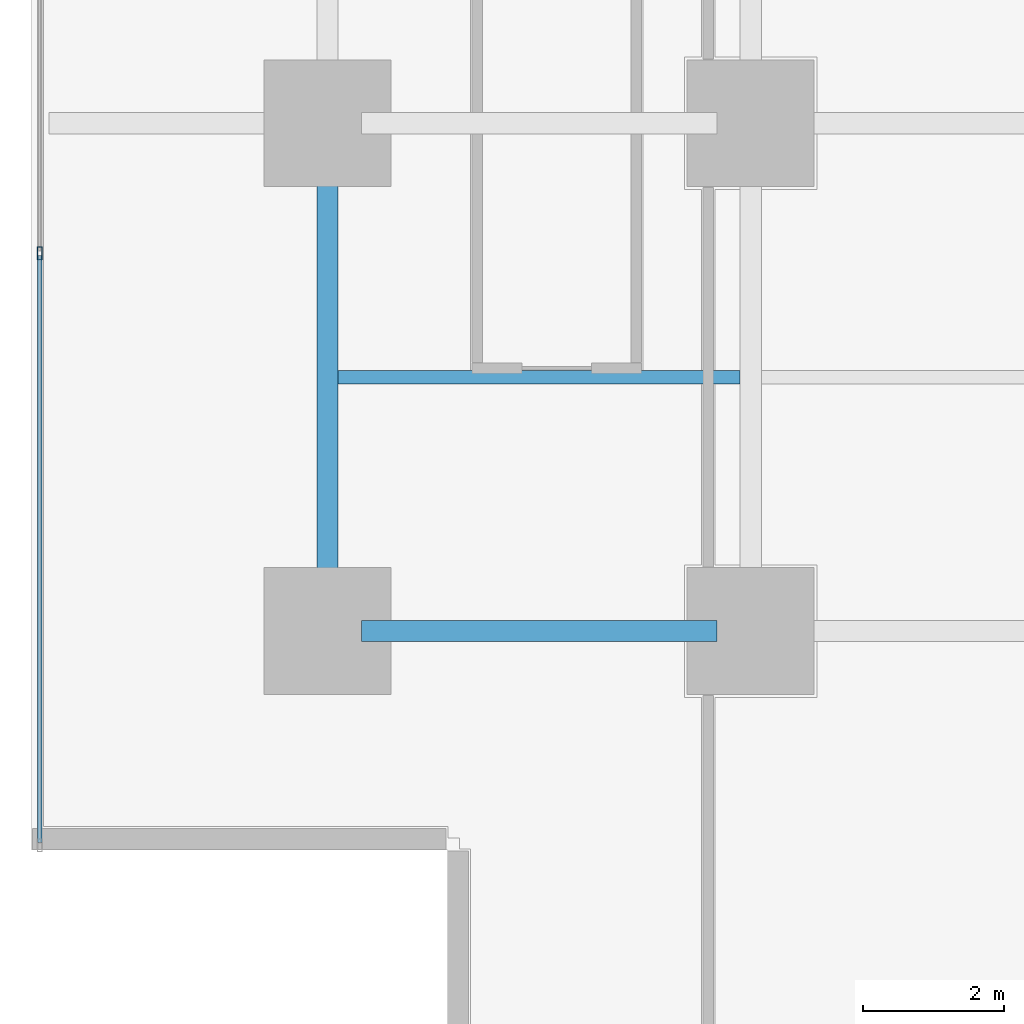
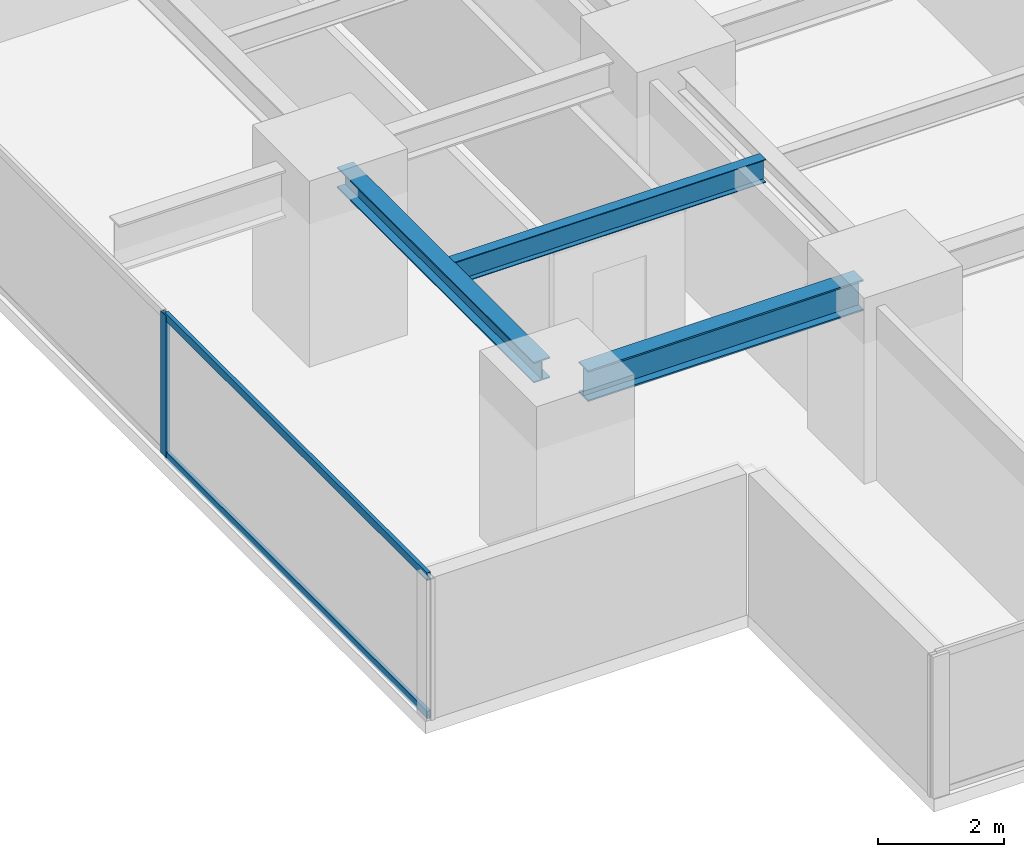
# One storey, part 3 of 32: 3 beams, 3 members, 1 element without a shape of its own.
"""IFC4 building model written with IfcOpenShell, lengths in metres."""

from ifc_helpers import new_model, si_unit, direction, frame, origin, origin_2d, place, context, subcontext, project, spatial, hollow_rectangle, i_section, extrude, source, transform, mapped, material, layer, layer_set, material_profile, profile_set, type_object, element, aggregate, save


model = new_model("IFC4")

# Units and contexts
model_context = context("Model", 3, precision=1e-05, world=origin(), true_north=direction((0.0, 1.0)))
body_context = subcontext(model_context, "Body", "Model", "MODEL_VIEW")
ifc_project = project(units=[si_unit("LENGTHUNIT", "METRE"), si_unit("AREAUNIT", "SQUARE_METRE"), si_unit("VOLUMEUNIT", "CUBIC_METRE"), si_unit("PLANEANGLEUNIT", "RADIAN"), si_unit("MASSUNIT", "GRAM", prefix="KILO")], contexts=[model_context])

# Site, building, storey
site_placement = place(None, origin())
site = spatial("IfcSite", under=ifc_project, at=site_placement, CompositionType="ELEMENT")
building_placement = place(site_placement, origin())
building = spatial("IfcBuilding", under=site, at=building_placement, Name="Sumidabori Civic Tower", CompositionType="ELEMENT")
storey_placement = place(building_placement, frame((0.0, 0.0, 45.199951171875)))
storey = spatial("IfcBuildingStorey", under=building, at=storey_placement, Name="L11", CompositionType="ELEMENT", Elevation=45.199951171875)

# Beams
ifc_material_1 = material(Name="Steel SN490", Category="steel")
ifc_material_profile_1 = material_profile(ifc_material_1, i_section(OverallWidth=0.300048828125, OverallDepth=0.60009765625, WebThickness=0.015380859375, FlangeThickness=0.030029296875, at=origin_2d()), Name="HE 600 B")
ifc_profile_set_1 = profile_set([ifc_material_profile_1], Name="Steel SN490")
beam_type_1 = type_object("IfcBeamType", Name="BM-GIRD-600", PredefinedType="BEAM", material=ifc_profile_set_1)
shared_shape_1 = source(origin(), body_context, "Body", "SweptSolid", [
    extrude(i_section(OverallWidth=0.300048828125, OverallDepth=0.60009765625, WebThickness=0.015380859375, FlangeThickness=0.030029296875, at=origin_2d()), origin(), (0.0, 0.0, 1.0), 5.0400390625),
])
beam_1_placement = place(storey_placement, frame((-22.320068359375, -18.0, 3.06005859375), z_axis=(1.0, 0.0, 0.0), x_axis=(0.0, 1.0, 0.0)))
element("IfcBeam", 1, at=beam_1_placement, inside=storey, type_object=beam_type_1, Name="Primary Girder L11 GX-01", PredefinedType="BEAM", context=body_context, shape_type="MappedRepresentation", body=[
    mapped(shared_shape_1, transform((0.0, 0.0, 0.0), x_axis=(1.0, 0.0, 0.0), y_axis=(0.0, 1.0, 0.0), z_axis=(0.0, 0.0, 1.0), scale=1.0)),
])
ifc_material_profile_2 = material_profile(ifc_material_1, i_section(OverallWidth=0.300048828125, OverallDepth=0.39990234375, WebThickness=0.013427734375, FlangeThickness=0.02392578125, at=origin_2d()), Name="HE 400 B")
ifc_profile_set_2 = profile_set([ifc_material_profile_2], Name="Steel SN490")
beam_type_2 = type_object("IfcBeamType", Name="BM-GIRD-400", PredefinedType="BEAM", material=ifc_profile_set_2)
shared_shape_2 = source(origin(), body_context, "Body", "SweptSolid", [
    extrude(i_section(OverallWidth=0.300048828125, OverallDepth=0.39990234375, WebThickness=0.013427734375, FlangeThickness=0.02392578125, at=origin_2d()), origin(), (0.0, 0.0, 1.0), 6.239990234375),
])
beam_2_placement = place(storey_placement, frame((-22.800048828125, -17.52001953125, 3.16015625), z_axis=(0.0, 1.0, 0.0), x_axis=(-1.0, 0.0, 0.0)))
element("IfcBeam", 2, at=beam_2_placement, inside=storey, type_object=beam_type_2, Name="Primary Girder L11 GY-21", PredefinedType="BEAM", context=body_context, shape_type="MappedRepresentation", body=[
    mapped(shared_shape_2, transform((0.0, 0.0, 0.0), x_axis=(1.0, 0.0, 0.0), y_axis=(0.0, 1.0, 0.0), z_axis=(0.0, 0.0, 1.0), scale=1.0)),
])
ifc_material_profile_3 = material_profile(ifc_material_1, i_section(OverallWidth=0.18994140625, OverallDepth=0.449951171875, WebThickness=0.009521484375, FlangeThickness=0.0146484375, at=origin_2d()), Name="IPE 450")
ifc_profile_set_3 = profile_set([ifc_material_profile_3], Name="Steel SN490")
beam_type_3 = type_object("IfcBeamType", Name="BM-JST-450", PredefinedType="JOIST", material=ifc_profile_set_3)
shared_shape_3 = source(origin(), body_context, "Body", "SweptSolid", [
    extrude(i_section(OverallWidth=0.18994140625, OverallDepth=0.449951171875, WebThickness=0.009521484375, FlangeThickness=0.0146484375, at=origin_2d()), origin(), (0.0, 0.0, 1.0), 5.699951171875),
])
beam_3_placement = place(storey_placement, frame((-22.64990234375, -14.39990234375, 3.135009765625), z_axis=(1.0, 0.0, 0.0), x_axis=(0.0, 1.0, 0.0)))
element("IfcBeam", 3, at=beam_3_placement, inside=storey, type_object=beam_type_3, Name="Outer Bay Floor Joist L11 JSTO-57", PredefinedType="JOIST", context=body_context, shape_type="MappedRepresentation", body=[
    mapped(shared_shape_3, transform((0.0, 0.0, 0.0), x_axis=(1.0, 0.0, 0.0), y_axis=(0.0, 1.0, 0.0), z_axis=(0.0, 0.0, 1.0), scale=1.0)),
])

# Curtain wall, members
ifc_material_2 = material(Name="Anodised Bronze Aluminium AW-6063-T6", Category="aluminium")
ifc_layer = layer(ifc_material_2, 0.179931640625, Name="Anodised Bronze Aluminium AW-6063-T6")
ifc_layer_set = layer_set([ifc_layer], Name="Anodised Bronze Aluminium AW-6063-T6")
curtain_wall_type = type_object("IfcCurtainWallType", Name="CW-SYS-2", PredefinedType="NOTDEFINED", material=ifc_layer_set)
curtain_wall_placement = place(storey_placement, origin())
curtain_wall = element("IfcCurtainWall", 4, at=curtain_wall_placement, inside=storey, type_object=curtain_wall_type, Name="Curtain Wall CW:L11:R10", PredefinedType="NOTDEFINED")
ifc_material_profile_4 = material_profile(ifc_material_2, hollow_rectangle(XDim=0.070068359375, YDim=0.179931640625, WallThickness=0.006103515625, at=origin_2d()), Name="ALU MULLION 180x70")
ifc_profile_set_4 = profile_set([ifc_material_profile_4], Name="Anodised Bronze Aluminium AW-6063-T6")
member_type_1 = type_object("IfcMemberType", Name="CW-MUL-180", PredefinedType="MULLION", material=ifc_profile_set_4)
shared_shape_4 = source(origin(), body_context, "Body", "SweptSolid", [
    extrude(hollow_rectangle(XDim=0.070068359375, YDim=0.179931640625, WallThickness=0.006103515625, at=origin_2d()), origin(), (0.0, 0.0, 1.0), 2.739990234375),
])
member_1_placement = place(storey_placement, frame((-26.8798828125, -12.64208984375, 0.0), z_axis=(0.0, 0.0, 1.0), x_axis=(1.0, 0.0, 0.0)))
member_1 = element("IfcMember", 5, at=member_1_placement, type_object=member_type_1, Name="CW-2 mullion 5", PredefinedType="MULLION", context=body_context, shape_type="MappedRepresentation", body=[
    mapped(shared_shape_4, transform((0.0, 0.0, 0.0), x_axis=(1.0, 0.0, 0.0), y_axis=(0.0, 1.0, 0.0), z_axis=(0.0, 0.0, 1.0), scale=1.0)),
])
ifc_material_profile_5 = material_profile(ifc_material_2, hollow_rectangle(XDim=0.06494140625, YDim=0.14990234375, WallThickness=0.0048828125, at=origin_2d()), Name="ALU TRANSOM 150x65")
ifc_profile_set_5 = profile_set([ifc_material_profile_5], Name="Anodised Bronze Aluminium AW-6063-T6")
member_type_2 = type_object("IfcMemberType", Name="CW-TRN-150", PredefinedType="USERDEFINED", material=ifc_profile_set_5)
shared_shape_5 = source(origin(), body_context, "Body", "SweptSolid", [
    extrude(hollow_rectangle(XDim=0.06494140625, YDim=0.14990234375, WallThickness=0.0048828125, at=origin_2d()), origin(), (0.0, 0.0, 1.0), 8.322998046875),
])
member_2_placement = place(storey_placement, frame((-26.8798828125, -12.677001953125, 0.032470703125), z_axis=(0.0, -1.0, 0.0), x_axis=(1.0, 0.0, 0.0)))
member_2 = element("IfcMember", 6, at=member_2_placement, type_object=member_type_2, Name="CW-2 transom 5.1", ObjectType="TRANSOM", PredefinedType="USERDEFINED", context=body_context, shape_type="MappedRepresentation", body=[
    mapped(shared_shape_5, transform((0.0, 0.0, 0.0), x_axis=(1.0, 0.0, 0.0), y_axis=(0.0, 1.0, 0.0), z_axis=(0.0, 0.0, 1.0), scale=1.0)),
])
member_3_placement = place(storey_placement, frame((-26.8798828125, -12.677001953125, 2.70751953125), z_axis=(0.0, -1.0, 0.0), x_axis=(1.0, 0.0, 0.0)))
member_3 = element("IfcMember", 7, at=member_3_placement, type_object=member_type_2, Name="CW-2 transom 5.2", ObjectType="TRANSOM", PredefinedType="USERDEFINED", context=body_context, shape_type="MappedRepresentation", body=[
    mapped(shared_shape_5, transform((0.0, 0.0, 0.0), x_axis=(1.0, 0.0, 0.0), y_axis=(0.0, 1.0, 0.0), z_axis=(0.0, 0.0, 1.0), scale=1.0)),
])
aggregate(curtain_wall, [member_1, member_2, member_3])

save(model, "model.ifc")
